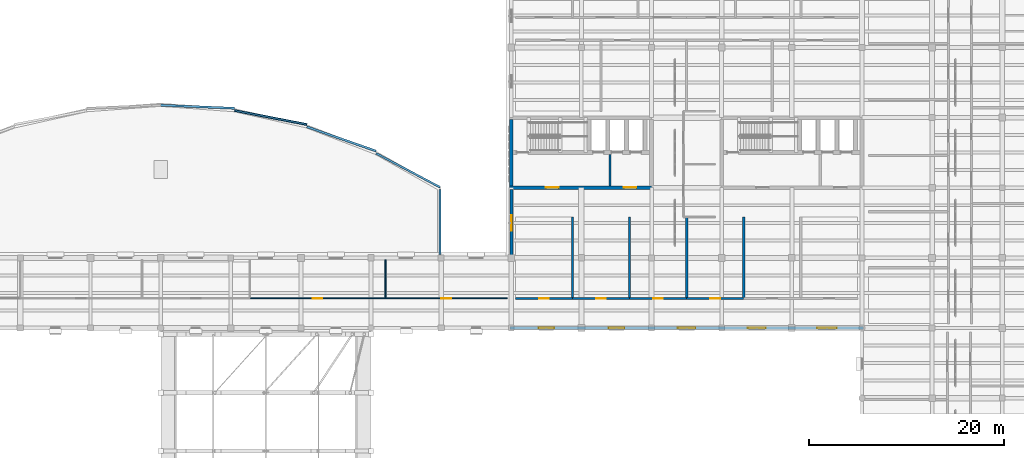
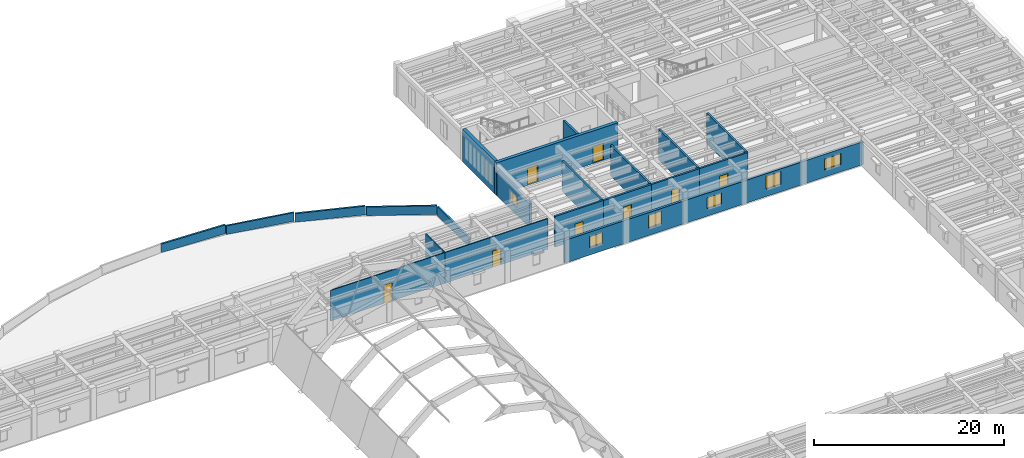
# One storey, part 48 of 66: 21 walls, 8 doors, 6 windows, 14 openings.
"""IFC4 building model written with IfcOpenShell, lengths in metres."""

from ifc_helpers import new_model, si_unit, direction, frame, frame_2d, origin, place, context, subcontext, project, spatial, rectangle, extrude, material, layer, layer_set, type_object, element, fill, save


model = new_model("IFC4")

# Units and contexts
model_context = context("Model", 3, precision=1e-05, world=origin(), true_north=direction((0.0, 1.0)))
body_context = subcontext(model_context, "Body", "Model", "MODEL_VIEW")
ifc_project = project(units=[si_unit("LENGTHUNIT", "METRE"), si_unit("AREAUNIT", "SQUARE_METRE"), si_unit("VOLUMEUNIT", "CUBIC_METRE"), si_unit("PLANEANGLEUNIT", "RADIAN"), si_unit("MASSUNIT", "GRAM", prefix="KILO")], contexts=[model_context])

# Site, building, storey
site_placement = place(None, origin())
site = spatial("IfcSite", under=ifc_project, at=site_placement, CompositionType="ELEMENT")
building_placement = place(site_placement, origin())
building = spatial("IfcBuilding", under=site, at=building_placement, Name="Mithqara Police Headquarters", CompositionType="ELEMENT")
storey_placement = place(building_placement, frame((0.0, 0.0, 9.60009765625)))
storey = spatial("IfcBuildingStorey", under=building, at=storey_placement, Name="L02", CompositionType="ELEMENT", Elevation=9.60009765625)

# Wall
ifc_material_1 = material(Name="Concrete C40/50", Category="concrete")
ifc_layer_1 = layer(ifc_material_1, 0.239990234375, Name="Concrete C40/50")
ifc_layer_set_1 = layer_set([ifc_layer_1], Name="Concrete C40/50")
wall_type_1 = type_object("IfcWallType", Name="CORE LOBBY WALL 240", PredefinedType="SOLIDWALL", material=ifc_layer_set_1)
wall_1_placement = place(storey_placement, frame((118.72998046875, 93.18994140625, 0.0), z_axis=(0.0, 0.0, 1.0), x_axis=(0.0, 1.0, 0.0)))
element("IfcWall", 1, at=wall_1_placement, inside=storey, type_object=wall_type_1, Name="Core C1 Command West Firefighting Lobby Separation Wall L02", PredefinedType="SOLIDWALL", context=body_context, shape_type="SweptSolid", body=[
    extrude(rectangle(XDim=3.239990234375, YDim=0.239990234375, at=frame_2d((1.6201171875, 0.0))), origin(), (0.0, 0.0, 1.0), 3.909912109375),
])

# Wall, opening, window
ifc_material_2 = material(Name="Ochre masonry cavity wall, 35 MPa", Category="masonry")
ifc_layer_2 = layer(ifc_material_2, 0.300048828125, Name="Ochre masonry cavity wall, 35 MPa")
ifc_layer_set_2 = layer_set([ifc_layer_2], Name="Ochre masonry cavity wall, 35 MPa")
wall_type_2 = type_object("IfcWallType", Name="EXT WALL OCHRE BRICK300", PredefinedType="SOLIDWALL", material=ifc_layer_set_2)
wall_2_placement = place(storey_placement, frame((108.60009765625, 92.81005859375, 0.0), z_axis=(0.0, 0.0, 1.0), x_axis=(0.0, -1.0, 0.0)))
wall_2 = element("IfcWall", 2, at=wall_2_placement, inside=storey, type_object=wall_type_2, Name="L02 Exterior Wall 11.2", PredefinedType="SOLIDWALL", context=body_context, shape_type="SweptSolid", body=[
    extrude(rectangle(XDim=6.860107421875, YDim=0.300048828125, at=frame_2d((3.43017578125, 0.0))), origin(), (0.0, 0.0, 1.0), 3.039794921875),
])
opening_1_placement = place(wall_2_placement, frame((2.6298828125, 0.0, 0.949951171875)))
opening_1 = element("IfcOpeningElement", 3, at=opening_1_placement, cuts=wall_2, Name="Opening W-26", PredefinedType="OPENING", context=body_context, shape_type="SweptSolid", body=[
    extrude(rectangle(XDim=1.60009765625, YDim=1.39990234375, at=frame_2d((0.800048828125, 0.699951171875))), frame((0.0, 0.16015625, 0.0), z_axis=(0.0, -1.0, 0.0), x_axis=(1.0, 0.0, 0.0)), (0.0, 0.0, 1.0), 0.320068359375),
])
ifc_material_3 = material(Name="Spectrally selective double low-e glass", Category="glass")
window_type_1 = type_object("IfcWindowType", Name="WINDOW 1600X1400", PartitioningType="SINGLE_PANEL", PredefinedType="WINDOW", material=ifc_material_3)
window_1_placement = place(opening_1_placement, origin())
window_1 = element("IfcWindow", 4, at=window_1_placement, inside=storey, type_object=window_type_1, Name="L02 Command Block Screened Window 11.1", OverallHeight=1.39990234375, OverallWidth=1.60009765625, PartitioningType="SINGLE_PANEL", PredefinedType="WINDOW", context=body_context, shape_type="SweptSolid", body=[
    extrude(rectangle(XDim=1.60009765625, YDim=1.39990234375, at=frame_2d((0.800048828125, 0.699951171875))), frame((0.0, 0.030029296875, 0.0), z_axis=(0.0, -1.0, 0.0), x_axis=(1.0, 0.0, 0.0)), (0.0, 0.0, 1.0), 0.06005859375),
])
fill(opening_1, window_1)

# Wall, openings, windows
wall_3_placement = place(storey_placement, frame((108.449951171875, 78.60009765625, 0.0), z_axis=(0.0, 0.0, 1.0), x_axis=(1.0, 0.0, 0.0)))
wall_3 = element("IfcWall", 5, at=wall_3_placement, inside=storey, type_object=wall_type_2, Name="L02 Exterior Wall 4.1", PredefinedType="SOLIDWALL", context=body_context, shape_type="SweptSolid", body=[
    extrude(rectangle(XDim=36.300048828125, YDim=0.300048828125, at=frame_2d((18.14990234375, 0.0))), origin(), (0.0, 0.0, 1.0), 2.93994140625),
])
opening_2_placement = place(wall_3_placement, frame((2.949951171875, 0.0, 0.949951171875)))
opening_2 = element("IfcOpeningElement", 6, at=opening_2_placement, cuts=wall_3, Name="Opening W-26", PredefinedType="OPENING", context=body_context, shape_type="SweptSolid", body=[
    extrude(rectangle(XDim=1.60009765625, YDim=1.39990234375, at=frame_2d((0.800048828125, 0.699951171875))), frame((0.0, 0.16015625, 0.0), z_axis=(0.0, -1.0, 0.0), x_axis=(1.0, 0.0, 0.0)), (0.0, 0.0, 1.0), 0.320068359375),
])
opening_3_placement = place(wall_3_placement, frame((10.14990234375, 0.0, 0.949951171875)))
opening_3 = element("IfcOpeningElement", 7, at=opening_3_placement, cuts=wall_3, Name="Opening W-27", PredefinedType="OPENING", context=body_context, shape_type="SweptSolid", body=[
    extrude(rectangle(XDim=1.60009765625, YDim=1.64990234375, at=frame_2d((0.800048828125, 0.824951171875))), frame((0.0, 0.16015625, 0.0), z_axis=(0.0, -1.0, 0.0), x_axis=(1.0, 0.0, 0.0)), (0.0, 0.0, 1.0), 0.320068359375),
])
opening_4_placement = place(wall_3_placement, frame((17.25, 0.0, 0.949951171875)))
opening_4 = element("IfcOpeningElement", 8, at=opening_4_placement, cuts=wall_3, Name="Opening W-31", PredefinedType="OPENING", context=body_context, shape_type="SweptSolid", body=[
    extrude(rectangle(XDim=1.800048828125, YDim=1.39990234375, at=frame_2d((0.89990234375, 0.699951171875))), frame((0.0, 0.16015625, 0.0), z_axis=(0.0, -1.0, 0.0), x_axis=(1.0, 0.0, 0.0)), (0.0, 0.0, 1.0), 0.320068359375),
])
opening_5_placement = place(wall_3_placement, frame((24.449951171875, 0.0, 0.949951171875)))
opening_5 = element("IfcOpeningElement", 9, at=opening_5_placement, cuts=wall_3, Name="Opening W-32", PredefinedType="OPENING", context=body_context, shape_type="SweptSolid", body=[
    extrude(rectangle(XDim=1.800048828125, YDim=1.64990234375, at=frame_2d((0.89990234375, 0.824951171875))), frame((0.0, 0.16015625, 0.0), z_axis=(0.0, -1.0, 0.0), x_axis=(1.0, 0.0, 0.0)), (0.0, 0.0, 1.0), 0.320068359375),
])
opening_6_placement = place(wall_3_placement, frame((31.550048828125, 0.0, 0.949951171875)))
opening_6 = element("IfcOpeningElement", 10, at=opening_6_placement, cuts=wall_3, Name="Opening W-36", PredefinedType="OPENING", context=body_context, shape_type="SweptSolid", body=[
    extrude(rectangle(XDim=2.0, YDim=1.39990234375, at=frame_2d((1.0, 0.699951171875))), frame((0.0, 0.16015625, 0.0), z_axis=(0.0, -1.0, 0.0), x_axis=(1.0, 0.0, 0.0)), (0.0, 0.0, 1.0), 0.320068359375),
])
window_2_placement = place(opening_2_placement, origin())
window_2 = element("IfcWindow", 11, at=window_2_placement, inside=storey, type_object=window_type_1, Name="L02 Command Block Screened Window 4.1", OverallHeight=1.39990234375, OverallWidth=1.60009765625, PartitioningType="SINGLE_PANEL", PredefinedType="WINDOW", context=body_context, shape_type="SweptSolid", body=[
    extrude(rectangle(XDim=1.60009765625, YDim=1.39990234375, at=frame_2d((0.800048828125, 0.699951171875))), frame((0.0, 0.030029296875, 0.0), z_axis=(0.0, -1.0, 0.0), x_axis=(1.0, 0.0, 0.0)), (0.0, 0.0, 1.0), 0.06005859375),
])
fill(opening_2, window_2)
window_type_2 = type_object("IfcWindowType", Name="WINDOW 1600X1650", PartitioningType="SINGLE_PANEL", PredefinedType="WINDOW", material=ifc_material_3)
window_3_placement = place(opening_3_placement, origin())
window_3 = element("IfcWindow", 12, at=window_3_placement, inside=storey, type_object=window_type_2, Name="L02 Command Block Screened Window 4.2", OverallHeight=1.64990234375, OverallWidth=1.60009765625, PartitioningType="SINGLE_PANEL", PredefinedType="WINDOW", context=body_context, shape_type="SweptSolid", body=[
    extrude(rectangle(XDim=1.60009765625, YDim=1.64990234375, at=frame_2d((0.800048828125, 0.824951171875))), frame((0.0, 0.030029296875, 0.0), z_axis=(0.0, -1.0, 0.0), x_axis=(1.0, 0.0, 0.0)), (0.0, 0.0, 1.0), 0.06005859375),
])
fill(opening_3, window_3)
window_type_3 = type_object("IfcWindowType", Name="WINDOW 1800X1400", PartitioningType="DOUBLE_PANEL_VERTICAL", PredefinedType="WINDOW", material=ifc_material_3)
window_4_placement = place(opening_4_placement, origin())
window_4 = element("IfcWindow", 13, at=window_4_placement, inside=storey, type_object=window_type_3, Name="L02 Command Block Screened Window 4.3", OverallHeight=1.39990234375, OverallWidth=1.800048828125, PartitioningType="SINGLE_PANEL", PredefinedType="WINDOW", context=body_context, shape_type="SweptSolid", body=[
    extrude(rectangle(XDim=1.800048828125, YDim=1.39990234375, at=frame_2d((0.89990234375, 0.699951171875))), frame((0.0, 0.030029296875, 0.0), z_axis=(0.0, -1.0, 0.0), x_axis=(1.0, 0.0, 0.0)), (0.0, 0.0, 1.0), 0.06005859375),
])
fill(opening_4, window_4)
window_type_4 = type_object("IfcWindowType", Name="WINDOW 1800X1650", PartitioningType="DOUBLE_PANEL_VERTICAL", PredefinedType="WINDOW", material=ifc_material_3)
window_5_placement = place(opening_5_placement, origin())
window_5 = element("IfcWindow", 14, at=window_5_placement, inside=storey, type_object=window_type_4, Name="L02 Command Block Screened Window 4.4", OverallHeight=1.64990234375, OverallWidth=1.800048828125, PartitioningType="SINGLE_PANEL", PredefinedType="WINDOW", context=body_context, shape_type="SweptSolid", body=[
    extrude(rectangle(XDim=1.800048828125, YDim=1.64990234375, at=frame_2d((0.89990234375, 0.824951171875))), frame((0.0, 0.030029296875, 0.0), z_axis=(0.0, -1.0, 0.0), x_axis=(1.0, 0.0, 0.0)), (0.0, 0.0, 1.0), 0.06005859375),
])
fill(opening_5, window_5)
window_type_5 = type_object("IfcWindowType", Name="WINDOW 2000X1400", PartitioningType="DOUBLE_PANEL_VERTICAL", PredefinedType="WINDOW", material=ifc_material_3)
window_6_placement = place(opening_6_placement, origin())
window_6 = element("IfcWindow", 15, at=window_6_placement, inside=storey, type_object=window_type_5, Name="L02 Command Block Screened Window 4.5", OverallHeight=1.39990234375, OverallWidth=2.0, PartitioningType="SINGLE_PANEL", PredefinedType="WINDOW", context=body_context, shape_type="SweptSolid", body=[
    extrude(rectangle(XDim=2.0, YDim=1.39990234375, at=frame_2d((1.0, 0.699951171875))), frame((0.0, 0.030029296875, 0.0), z_axis=(0.0, -1.0, 0.0), x_axis=(1.0, 0.0, 0.0)), (0.0, 0.0, 1.0), 0.06005859375),
])
fill(opening_6, window_6)

# Walls
ifc_material_4 = material(Name="Limestone ashlar masonry, 45 MPa", Category="masonry")
ifc_layer_3 = layer(ifc_material_4, 0.199951171875, Name="Limestone ashlar masonry, 45 MPa")
ifc_layer_set_3 = layer_set([ifc_layer_3], Name="Limestone ashlar masonry, 45 MPa")
wall_type_3 = type_object("IfcWallType", Name="PARAPET WALL 200", PredefinedType="PARAPET", material=ifc_layer_set_3)
wall_4_placement = place(storey_placement, frame((80.187255859375, 100.92578125, 0.0), z_axis=(0.0, 0.0, 1.0), x_axis=(0.981674986145, -0.19056290714, 0.0)))
element("IfcWall", 16, at=wall_4_placement, inside=storey, type_object=wall_type_3, Name="L02 Limestone Roof Parapet ROOF-SWEPT-ARCADE-6", PredefinedType="PARAPET", context=body_context, shape_type="SweptSolid", body=[
    extrude(rectangle(XDim=7.562744140625, YDim=0.199951171875, at=frame_2d((3.78125, 0.0))), origin(), (0.0, 0.0, 1.0), 1.119873046875),
])
wall_5_placement = place(storey_placement, frame((94.712890625, 96.535888671875, 0.0), z_axis=(0.0, 0.0, 1.0), x_axis=(0.883344864715, -0.468723639239, 0.0)))
element("IfcWall", 17, at=wall_5_placement, inside=storey, type_object=wall_type_3, Name="L02 Limestone Roof Parapet ROOF-SWEPT-ARCADE-8", PredefinedType="PARAPET", context=body_context, shape_type="SweptSolid", body=[
    extrude(rectangle(XDim=7.44580078125, YDim=0.199951171875, at=frame_2d((3.722900390625, 0.0))), origin(), (0.0, 0.0, 1.0), 1.119873046875),
])
ifc_layer_4 = layer(ifc_material_4, 0.219970703125, Name="Limestone ashlar masonry, 45 MPa")
ifc_layer_set_4 = layer_set([ifc_layer_4], Name="Limestone ashlar masonry, 45 MPa")
wall_type_4 = type_object("IfcWallType", Name="PARAPET WALL 220", PredefinedType="PARAPET", material=ifc_layer_set_4)
wall_6_placement = place(storey_placement, frame((72.60009765625, 101.473388671875, 0.0), z_axis=(0.0, 0.0, 1.0), x_axis=(0.999124863032, -0.041827121241, 0.0)))
element("IfcWall", 18, at=wall_6_placement, inside=storey, type_object=wall_type_4, Name="L02 Limestone Roof Parapet ROOF-SWEPT-ARCADE-5", PredefinedType="PARAPET", context=body_context, shape_type="SweptSolid", body=[
    extrude(rectangle(XDim=7.59375, YDim=0.219970703125, at=frame_2d((3.796875, 0.0))), origin(), (0.0, 0.0, 1.0), 1.119873046875),
])
wall_7_placement = place(storey_placement, frame((87.611328125, 99.254638671875, 0.0), z_axis=(0.0, 0.0, 1.0), x_axis=(0.943724746718, -0.330731919281, 0.0)))
element("IfcWall", 19, at=wall_7_placement, inside=storey, type_object=wall_type_4, Name="L02 Limestone Roof Parapet ROOF-SWEPT-ARCADE-7", PredefinedType="PARAPET", context=body_context, shape_type="SweptSolid", body=[
    extrude(rectangle(XDim=7.525146484375, YDim=0.219970703125, at=frame_2d((3.7626953125, 0.0))), origin(), (0.0, 0.0, 1.0), 1.119873046875),
])
wall_8_placement = place(storey_placement, frame((101.2900390625, 92.81591796875, 0.0), z_axis=(0.0, 0.0, 1.0), x_axis=(0.0, -1.0, 0.0)))
element("IfcWall", 20, at=wall_8_placement, inside=storey, type_object=wall_type_4, Name="L02 Limestone Roof Parapet ROOF-SWEPT-ARCADE-9", PredefinedType="PARAPET", context=body_context, shape_type="SweptSolid", body=[
    extrude(rectangle(XDim=6.676025390625, YDim=0.219970703125, at=frame_2d((3.337890625, 0.0))), origin(), (0.0, 0.0, 1.0), 1.119873046875),
])

# Wall, opening, door
ifc_material_5 = material(Name="Gypsum acoustic stud partition", Category="gypsum")
ifc_layer_5 = layer(ifc_material_5, 0.1201171875, Name="Gypsum acoustic stud partition")
ifc_layer_set_5 = layer_set([ifc_layer_5], Name="Gypsum acoustic stud partition")
wall_type_5 = type_object("IfcWallType", Name="PART WALL 120", PredefinedType="PARTITIONING", material=ifc_layer_set_5)
wall_9_placement = place(storey_placement, frame((81.739990234375, 81.639892578125, 0.0), z_axis=(0.0, 0.0, 1.0), x_axis=(1.0, 0.0, 0.0)))
wall_9 = element("IfcWall", 21, at=wall_9_placement, inside=storey, type_object=wall_type_5, Name="L02 Corridor Wall Regional Operations Coordination Suite", PredefinedType="PARTITIONING", context=body_context, shape_type="SweptSolid", body=[
    extrude(rectangle(XDim=13.945068359375, YDim=0.1201171875, at=frame_2d((6.97265625, 0.0))), origin(), (0.0, 0.0, 1.0), 3.93994140625),
])
opening_7_placement = place(wall_9_placement, frame((6.482421875, 0.0, 0.0)))
opening_7 = element("IfcOpeningElement", 22, at=opening_7_placement, cuts=wall_9, Name="Opening D-06", PredefinedType="OPENING", context=body_context, shape_type="SweptSolid", body=[
    extrude(rectangle(XDim=0.97998046875, YDim=2.35009765625, at=frame_2d((0.489990234375, 1.175048828125))), frame((0.0, 0.070068359375, 0.0), z_axis=(0.0, -1.0, 0.0), x_axis=(1.0, 0.0, 0.0)), (0.0, 0.0, 1.0), 0.14013671875),
])
ifc_material_6 = material(Name="Acoustic solid-core timber leaf", Category="wood")
door_type_1 = type_object("IfcDoorType", Name="INT DOOR 980X2350", OperationType="NOTDEFINED", PredefinedType="DOOR", material=ifc_material_6)
door_1_placement = place(opening_7_placement, origin())
door_1 = element("IfcDoor", 23, at=door_1_placement, inside=storey, type_object=door_type_1, Name="Regional Operations Coordination Suite Entry Door", OperationType="SINGLE_SWING_LEFT", OverallHeight=2.35009765625, OverallWidth=0.97998046875, PredefinedType="DOOR", context=body_context, shape_type="SweptSolid", body=[
    extrude(rectangle(XDim=0.97998046875, YDim=2.35009765625, at=frame_2d((0.489990234375, 1.175048828125))), frame((0.0, 0.02490234375, 0.0), z_axis=(0.0, -1.0, 0.0), x_axis=(1.0, 0.0, 0.0)), (0.0, 0.0, 1.0), 0.050048828125),
])
fill(opening_7, door_1)

# Wall
wall_10_placement = place(storey_placement, frame((95.68505859375, 81.639892578125, 0.0), z_axis=(0.0, 0.0, 1.0), x_axis=(0.0, 1.0, 0.0)))
element("IfcWall", 24, at=wall_10_placement, inside=storey, type_object=wall_type_5, Name="L02 Room Partition Regional Operations Coordination Suite", PredefinedType="PARTITIONING", context=body_context, shape_type="SweptSolid", body=[
    extrude(rectangle(XDim=3.980224609375, YDim=0.1201171875, at=frame_2d((1.990234375, 0.0))), origin(), (0.0, 0.0, 1.0), 3.93994140625),
])

# Wall, opening, door
wall_11_placement = place(storey_placement, frame((95.68505859375, 81.639892578125, 0.0), z_axis=(0.0, 0.0, 1.0), x_axis=(1.0, 0.0, 0.0)))
wall_11 = element("IfcWall", 25, at=wall_11_placement, inside=storey, type_object=wall_type_5, Name="L02 Corridor Wall Crime Statistics Analysis Room", PredefinedType="PARTITIONING", context=body_context, shape_type="SweptSolid", body=[
    extrude(rectangle(XDim=12.494873046875, YDim=0.1201171875, at=frame_2d((6.24755859375, 0.0))), origin(), (0.0, 0.0, 1.0), 3.93994140625),
])
opening_8_placement = place(wall_11_placement, frame((5.7275390625, 0.0, 0.0)))
opening_8 = element("IfcOpeningElement", 26, at=opening_8_placement, cuts=wall_11, Name="Opening D-07", PredefinedType="OPENING", context=body_context, shape_type="SweptSolid", body=[
    extrude(rectangle(XDim=1.0400390625, YDim=2.10009765625, at=frame_2d((0.52001953125, 1.050048828125))), frame((0.0, 0.070068359375, 0.0), z_axis=(0.0, -1.0, 0.0), x_axis=(1.0, 0.0, 0.0)), (0.0, 0.0, 1.0), 0.14013671875),
])
door_type_2 = type_object("IfcDoorType", Name="INT DOOR 1040X2100", OperationType="NOTDEFINED", PredefinedType="DOOR", material=ifc_material_6)
door_2_placement = place(opening_8_placement, origin())
door_2 = element("IfcDoor", 27, at=door_2_placement, inside=storey, type_object=door_type_2, Name="Crime Statistics Analysis Room Entry Door", OperationType="SINGLE_SWING_RIGHT", OverallHeight=2.10009765625, OverallWidth=1.0400390625, PredefinedType="DOOR", context=body_context, shape_type="SweptSolid", body=[
    extrude(rectangle(XDim=1.0400390625, YDim=2.10009765625, at=frame_2d((0.52001953125, 1.050048828125))), frame((0.0, 0.02490234375, 0.0), z_axis=(0.0, -1.0, 0.0), x_axis=(1.0, 0.0, 0.0)), (0.0, 0.0, 1.0), 0.050048828125),
])
fill(opening_8, door_2)

ifc_layer_6 = layer(ifc_material_1, 0.22998046875, Name="Concrete C40/50")
ifc_layer_set_6 = layer_set([ifc_layer_6], Name="Concrete C40/50")
wall_type_6 = type_object("IfcWallType", Name="PART WALL 230", PredefinedType="PARTITIONING", material=ifc_layer_set_6)
wall_12_placement = place(storey_placement, frame((109.02001953125, 81.639892578125, 0.0), z_axis=(0.0, 0.0, 1.0), x_axis=(1.0, 0.0, 0.0)))
wall_12 = element("IfcWall", 28, at=wall_12_placement, inside=storey, type_object=wall_type_6, Name="L02 Corridor Wall Incident Briefing Room", PredefinedType="PARTITIONING", context=body_context, shape_type="SweptSolid", body=[
    extrude(rectangle(XDim=5.85986328125, YDim=0.22998046875, at=frame_2d((2.929931640625, 0.0))), origin(), (0.0, 0.0, 1.0), 3.93994140625),
])
opening_9_placement = place(wall_12_placement, frame((2.43994140625, 0.0, 0.0)))
opening_9 = element("IfcOpeningElement", 29, at=opening_9_placement, cuts=wall_12, Name="Opening D-04", PredefinedType="OPENING", context=body_context, shape_type="SweptSolid", body=[
    extrude(rectangle(XDim=0.97998046875, YDim=2.10009765625, at=frame_2d((0.489990234375, 1.050048828125))), frame((0.0, 0.125, 0.0), z_axis=(0.0, -1.0, 0.0), x_axis=(1.0, 0.0, 0.0)), (0.0, 0.0, 1.0), 0.25),
])
door_type_3 = type_object("IfcDoorType", Name="INT DOOR 980X2100", OperationType="NOTDEFINED", PredefinedType="DOOR", material=ifc_material_6)
door_3_placement = place(opening_9_placement, origin())
door_3 = element("IfcDoor", 30, at=door_3_placement, inside=storey, type_object=door_type_3, Name="Incident Briefing Room Entry Door", OperationType="SINGLE_SWING_LEFT", OverallHeight=2.10009765625, OverallWidth=0.97998046875, PredefinedType="DOOR", context=body_context, shape_type="SweptSolid", body=[
    extrude(rectangle(XDim=0.97998046875, YDim=2.10009765625, at=frame_2d((0.489990234375, 1.050048828125))), frame((0.0, 0.02490234375, 0.0), z_axis=(0.0, -1.0, 0.0), x_axis=(1.0, 0.0, 0.0)), (0.0, 0.0, 1.0), 0.050048828125),
])
fill(opening_9, door_3)

# Wall
wall_13_placement = place(storey_placement, frame((114.8798828125, 81.639892578125, 0.0), z_axis=(0.0, 0.0, 1.0), x_axis=(0.0, 1.0, 0.0)))
element("IfcWall", 31, at=wall_13_placement, inside=storey, type_object=wall_type_6, Name="L02 Room Partition Incident Briefing Room", PredefinedType="PARTITIONING", context=body_context, shape_type="SweptSolid", body=[
    extrude(rectangle(XDim=8.360107421875, YDim=0.22998046875, at=frame_2d((4.18017578125, 0.0))), origin(), (0.0, 0.0, 1.0), 3.93994140625),
])

# Wall, opening, door
wall_14_placement = place(storey_placement, frame((114.8798828125, 81.639892578125, 0.0), z_axis=(0.0, 0.0, 1.0), x_axis=(1.0, 0.0, 0.0)))
wall_14 = element("IfcWall", 32, at=wall_14_placement, inside=storey, type_object=wall_type_6, Name="L02 Corridor Wall Public Affairs Coordination Office", PredefinedType="PARTITIONING", context=body_context, shape_type="SweptSolid", body=[
    extrude(rectangle(XDim=5.860107421875, YDim=0.22998046875, at=frame_2d((2.93017578125, 0.0))), origin(), (0.0, 0.0, 1.0), 3.93994140625),
])
opening_10_placement = place(wall_14_placement, frame((2.43994140625, 0.0, 0.0)))
opening_10 = element("IfcOpeningElement", 33, at=opening_10_placement, cuts=wall_14, Name="Opening D-05", PredefinedType="OPENING", context=body_context, shape_type="SweptSolid", body=[
    extrude(rectangle(XDim=0.97998046875, YDim=2.219970703125, at=frame_2d((0.489990234375, 1.10986328125))), frame((0.0, 0.125, 0.0), z_axis=(0.0, -1.0, 0.0), x_axis=(1.0, 0.0, 0.0)), (0.0, 0.0, 1.0), 0.25),
])
door_type_4 = type_object("IfcDoorType", Name="INT DOOR 980X2220", OperationType="NOTDEFINED", PredefinedType="DOOR", material=ifc_material_6)
door_4_placement = place(opening_10_placement, origin())
door_4 = element("IfcDoor", 34, at=door_4_placement, inside=storey, type_object=door_type_4, Name="Public Affairs Coordination Office Entry Door", OperationType="SINGLE_SWING_RIGHT", OverallHeight=2.219970703125, OverallWidth=0.97998046875, PredefinedType="DOOR", context=body_context, shape_type="SweptSolid", body=[
    extrude(rectangle(XDim=0.97998046875, YDim=2.219970703125, at=frame_2d((0.489990234375, 1.10986328125))), frame((0.0, 0.02490234375, 0.0), z_axis=(0.0, -1.0, 0.0), x_axis=(1.0, 0.0, 0.0)), (0.0, 0.0, 1.0), 0.050048828125),
])
fill(opening_10, door_4)

# Wall
wall_15_placement = place(storey_placement, frame((120.739990234375, 81.639892578125, 0.0), z_axis=(0.0, 0.0, 1.0), x_axis=(0.0, 1.0, 0.0)))
element("IfcWall", 35, at=wall_15_placement, inside=storey, type_object=wall_type_6, Name="L02 Room Partition Public Affairs Coordination Office", PredefinedType="PARTITIONING", context=body_context, shape_type="SweptSolid", body=[
    extrude(rectangle(XDim=8.360107421875, YDim=0.22998046875, at=frame_2d((4.18017578125, 0.0))), origin(), (0.0, 0.0, 1.0), 3.93994140625),
])

# Wall, opening, door
wall_16_placement = place(storey_placement, frame((120.739990234375, 81.639892578125, 0.0), z_axis=(0.0, 0.0, 1.0), x_axis=(1.0, 0.0, 0.0)))
wall_16 = element("IfcWall", 36, at=wall_16_placement, inside=storey, type_object=wall_type_6, Name="L02 Corridor Wall Operations Planning Room", PredefinedType="PARTITIONING", context=body_context, shape_type="SweptSolid", body=[
    extrude(rectangle(XDim=5.860107421875, YDim=0.22998046875, at=frame_2d((2.93017578125, 0.0))), origin(), (0.0, 0.0, 1.0), 3.93994140625),
])
opening_11_placement = place(wall_16_placement, frame((2.43994140625, 0.0, 0.0)))
opening_11 = element("IfcOpeningElement", 37, at=opening_11_placement, cuts=wall_16, Name="Opening D-06", PredefinedType="OPENING", context=body_context, shape_type="SweptSolid", body=[
    extrude(rectangle(XDim=0.97998046875, YDim=2.35009765625, at=frame_2d((0.489990234375, 1.175048828125))), frame((0.0, 0.125, 0.0), z_axis=(0.0, -1.0, 0.0), x_axis=(1.0, 0.0, 0.0)), (0.0, 0.0, 1.0), 0.25),
])
door_5_placement = place(opening_11_placement, origin())
door_5 = element("IfcDoor", 38, at=door_5_placement, inside=storey, type_object=door_type_1, Name="Operations Planning Room Entry Door", OperationType="SINGLE_SWING_LEFT", OverallHeight=2.35009765625, OverallWidth=0.97998046875, PredefinedType="DOOR", context=body_context, shape_type="SweptSolid", body=[
    extrude(rectangle(XDim=0.97998046875, YDim=2.35009765625, at=frame_2d((0.489990234375, 1.175048828125))), frame((0.0, 0.02490234375, 0.0), z_axis=(0.0, -1.0, 0.0), x_axis=(1.0, 0.0, 0.0)), (0.0, 0.0, 1.0), 0.050048828125),
])
fill(opening_11, door_5)

# Wall
wall_17_placement = place(storey_placement, frame((126.60009765625, 81.639892578125, 0.0), z_axis=(0.0, 0.0, 1.0), x_axis=(0.0, 1.0, 0.0)))
element("IfcWall", 39, at=wall_17_placement, inside=storey, type_object=wall_type_6, Name="L02 Room Partition Operations Planning Room", PredefinedType="PARTITIONING", context=body_context, shape_type="SweptSolid", body=[
    extrude(rectangle(XDim=8.360107421875, YDim=0.22998046875, at=frame_2d((4.18017578125, 0.0))), origin(), (0.0, 0.0, 1.0), 3.93994140625),
])

# Wall, opening, door
wall_18_placement = place(storey_placement, frame((126.60009765625, 81.639892578125, 0.0), z_axis=(0.0, 0.0, 1.0), x_axis=(1.0, 0.0, 0.0)))
wall_18 = element("IfcWall", 40, at=wall_18_placement, inside=storey, type_object=wall_type_6, Name="L02 Corridor Wall Case Analysis Room", PredefinedType="PARTITIONING", context=body_context, shape_type="SweptSolid", body=[
    extrude(rectangle(XDim=5.85986328125, YDim=0.22998046875, at=frame_2d((2.929931640625, 0.0))), origin(), (0.0, 0.0, 1.0), 3.93994140625),
])
opening_12_placement = place(wall_18_placement, frame((2.409912109375, 0.0, 0.0)))
opening_12 = element("IfcOpeningElement", 41, at=opening_12_placement, cuts=wall_18, Name="Opening D-07", PredefinedType="OPENING", context=body_context, shape_type="SweptSolid", body=[
    extrude(rectangle(XDim=1.0400390625, YDim=2.10009765625, at=frame_2d((0.52001953125, 1.050048828125))), frame((0.0, 0.125, 0.0), z_axis=(0.0, -1.0, 0.0), x_axis=(1.0, 0.0, 0.0)), (0.0, 0.0, 1.0), 0.25),
])
door_6_placement = place(opening_12_placement, origin())
door_6 = element("IfcDoor", 42, at=door_6_placement, inside=storey, type_object=door_type_2, Name="Case Analysis Room Entry Door", OperationType="SINGLE_SWING_RIGHT", OverallHeight=2.10009765625, OverallWidth=1.0400390625, PredefinedType="DOOR", context=body_context, shape_type="SweptSolid", body=[
    extrude(rectangle(XDim=1.0400390625, YDim=2.10009765625, at=frame_2d((0.52001953125, 1.050048828125))), frame((0.0, 0.02490234375, 0.0), z_axis=(0.0, -1.0, 0.0), x_axis=(1.0, 0.0, 0.0)), (0.0, 0.0, 1.0), 0.050048828125),
])
fill(opening_12, door_6)

# Wall
wall_19_placement = place(storey_placement, frame((132.4599609375, 81.639892578125, 0.0), z_axis=(0.0, 0.0, 1.0), x_axis=(0.0, 1.0, 0.0)))
element("IfcWall", 43, at=wall_19_placement, inside=storey, type_object=wall_type_6, Name="L02 Room Partition Case Analysis Room", PredefinedType="PARTITIONING", context=body_context, shape_type="SweptSolid", body=[
    extrude(rectangle(XDim=8.360107421875, YDim=0.22998046875, at=frame_2d((4.18017578125, 0.0))), origin(), (0.0, 0.0, 1.0), 3.93994140625),
])

# Wall, openings, doors
ifc_material_7 = material(Name="Concrete C50/60", Category="concrete")
ifc_layer_7 = layer(ifc_material_7, 0.3798828125, Name="Concrete C50/60")
ifc_layer_set_7 = layer_set([ifc_layer_7], Name="Concrete C50/60")
wall_type_7 = type_object("IfcWallType", Name="SHEAR WALL 380", PredefinedType="SHEAR", material=ifc_layer_set_7)
wall_20_placement = place(storey_placement, frame((108.409912109375, 93.0, 0.0), z_axis=(0.0, 0.0, 1.0), x_axis=(1.0, 0.0, 0.0)))
wall_20 = element("IfcWall", 44, at=wall_20_placement, inside=storey, type_object=wall_type_7, Name="Core C1 Command West Shear Wall S", PredefinedType="SHEAR", context=body_context, shape_type="SweptSolid", body=[
    extrude(rectangle(XDim=14.780029296875, YDim=0.3798828125, at=frame_2d((7.39013671875, 0.0))), origin(), (0.0, 0.0, 1.0), 4.199951171875),
])
opening_13_placement = place(wall_20_placement, frame((3.739990234375, 0.0, 0.0)))
opening_13 = element("IfcOpeningElement", 45, at=opening_13_placement, cuts=wall_20, Name="Opening FD-02", PredefinedType="OPENING", context=body_context, shape_type="SweptSolid", body=[
    extrude(rectangle(XDim=1.300048828125, YDim=2.199951171875, at=frame_2d((0.64990234375, 1.10009765625))), frame((0.0, 0.199951171875, 0.0), z_axis=(0.0, -1.0, 0.0), x_axis=(1.0, 0.0, 0.0)), (0.0, 0.0, 1.0), 0.39990234375),
])
opening_14_placement = place(wall_20_placement, frame((11.739990234375, 0.0, 0.0)))
opening_14 = element("IfcOpeningElement", 46, at=opening_14_placement, cuts=wall_20, Name="Opening FD-02", PredefinedType="OPENING", context=body_context, shape_type="SweptSolid", body=[
    extrude(rectangle(XDim=1.300048828125, YDim=2.199951171875, at=frame_2d((0.64990234375, 1.10009765625))), frame((0.0, 0.199951171875, 0.0), z_axis=(0.0, -1.0, 0.0), x_axis=(1.0, 0.0, 0.0)), (0.0, 0.0, 1.0), 0.39990234375),
])
ifc_material_8 = material(Name="Steel S355JR", Category="steel")
door_type_5 = type_object("IfcDoorType", Name="CORE DOOR LOBBY 1300X2200", OperationType="NOTDEFINED", PredefinedType="DOOR", material=ifc_material_8)
door_7_placement = place(opening_13_placement, frame((1.300048828125, 0.0, 0.0), z_axis=(0.0, 0.0, 1.0), x_axis=(-1.0, 0.0, 0.0)))
door_7 = element("IfcDoor", 47, at=door_7_placement, inside=storey, type_object=door_type_5, Name="Core C1 Command West FF Lobby Fire Door L02", OperationType="SINGLE_SWING_LEFT", OverallHeight=2.199951171875, OverallWidth=1.300048828125, PredefinedType="DOOR", context=body_context, shape_type="SweptSolid", body=[
    extrude(rectangle(XDim=1.300048828125, YDim=2.199951171875, at=frame_2d((0.64990234375, 1.10009765625))), frame((0.0, 0.02490234375, 0.0), z_axis=(0.0, -1.0, 0.0), x_axis=(1.0, 0.0, 0.0)), (0.0, 0.0, 1.0), 0.050048828125),
])
fill(opening_13, door_7)
door_8_placement = place(opening_14_placement, frame((1.300048828125, 0.0, 0.0), z_axis=(0.0, 0.0, 1.0), x_axis=(-1.0, 0.0, 0.0)))
door_8 = element("IfcDoor", 48, at=door_8_placement, inside=storey, type_object=door_type_5, Name="Core C1 Command West PA Lobby Fire Door L02", OperationType="SINGLE_SWING_RIGHT", OverallHeight=2.199951171875, OverallWidth=1.300048828125, PredefinedType="DOOR", context=body_context, shape_type="SweptSolid", body=[
    extrude(rectangle(XDim=1.300048828125, YDim=2.199951171875, at=frame_2d((0.64990234375, 1.10009765625))), frame((0.0, 0.02490234375, 0.0), z_axis=(0.0, -1.0, 0.0), x_axis=(1.0, 0.0, 0.0)), (0.0, 0.0, 1.0), 0.050048828125),
])
fill(opening_14, door_8)

# Wall
wall_21_placement = place(storey_placement, frame((108.60009765625, 93.199951171875, 0.0), z_axis=(0.0, 0.0, 1.0), x_axis=(0.0, 1.0, 0.0)))
element("IfcWall", 49, at=wall_21_placement, inside=storey, type_object=wall_type_7, Name="Core C1 Command West Shear Wall W", PredefinedType="SHEAR", context=body_context, shape_type="SweptSolid", body=[
    extrude(rectangle(XDim=6.800048828125, YDim=0.3798828125, at=frame_2d((3.39990234375, 0.0))), origin(), (0.0, 0.0, 1.0), 4.199951171875),
])

save(model, "model.ifc")
